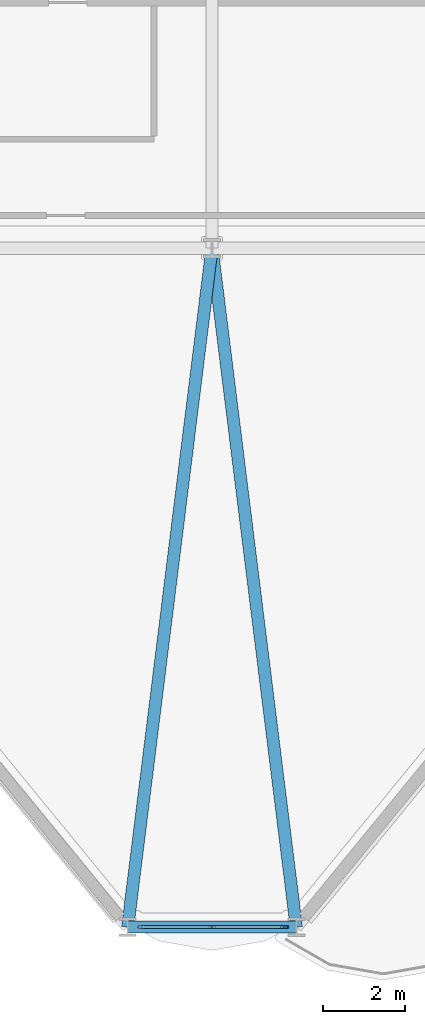
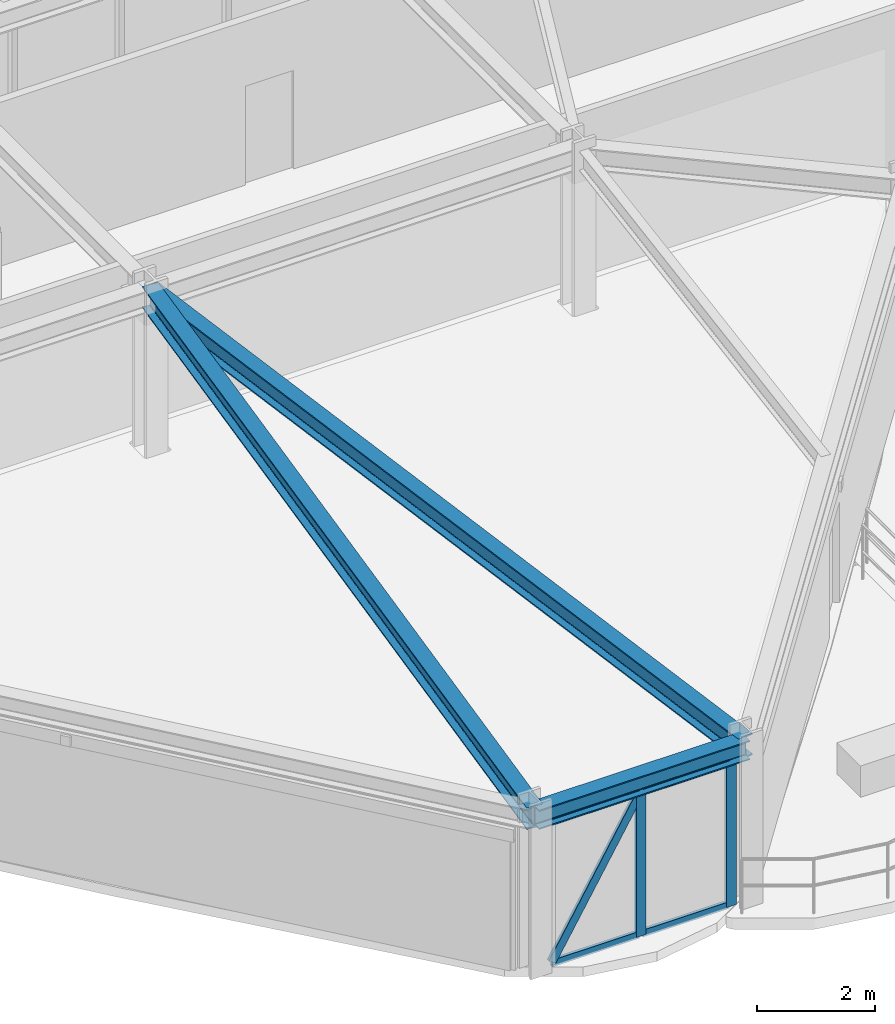
# One storey, part 4 of 23: 7 members, 3 beams, 1 element without a shape of its own.
"""IFC4 building model written with IfcOpenShell, lengths in metres."""

from ifc_helpers import new_model, si_unit, derived_unit, direction, frame, origin, origin_2d, place, context, subcontext, project, spatial, hollow_rectangle, i_section, extrude, source, transform, mapped, material, layer, layer_set, material_profile, profile_set, type_object, element, aggregate, save


model = new_model("IFC4")

# Units and contexts
model_context = context("Model", 3, precision=1e-05, world=origin(), true_north=direction((0.0, 1.0)))
body_context = subcontext(model_context, "Body", "Model", "MODEL_VIEW")
ifc_project = project(units=[si_unit("LENGTHUNIT", "METRE"), si_unit("AREAUNIT", "SQUARE_METRE"), si_unit("VOLUMEUNIT", "CUBIC_METRE"), si_unit("PLANEANGLEUNIT", "RADIAN"), si_unit("MASSUNIT", "GRAM", prefix="KILO"), derived_unit("THERMALTRANSMITTANCEUNIT", [(si_unit("POWERUNIT", "WATT"), 1), (si_unit("LENGTHUNIT", "METRE"), -2), (si_unit("THERMODYNAMICTEMPERATUREUNIT", "KELVIN"), -1)])], contexts=[model_context])

# Site, building, storey
site_placement = place(None, origin())
site = spatial("IfcSite", under=ifc_project, at=site_placement, CompositionType="ELEMENT")
building_placement = place(site_placement, origin())
building = spatial("IfcBuilding", under=site, at=building_placement, Name="Korsvarv Bourse and Concert Hall", CompositionType="ELEMENT")
storey_placement = place(building_placement, frame((0.0, 0.0, 99.0)))
storey = spatial("IfcBuildingStorey", under=building, at=storey_placement, Name="L24", CompositionType="ELEMENT", Elevation=99.0)

# Beams
ifc_material_1 = material(Name="Steel S355", Category="steel")
ifc_material_profile_1 = material_profile(ifc_material_1, i_section(OverallWidth=0.300048828125, OverallDepth=0.39990234375, WebThickness=0.013427734375, FlangeThickness=0.02392578125, FilletRadius=0.02099609375, at=origin_2d()), Name="HEB 400")
ifc_profile_set_1 = profile_set([ifc_material_profile_1], Name="Steel S355")
beam_type_1 = type_object("IfcBeamType", Name="BM-HEB400", PredefinedType="SPANDREL", material=ifc_profile_set_1)
shared_shape_1 = source(origin(), body_context, "Body", "SweptSolid", [
    extrude(i_section(OverallWidth=0.300048828125, OverallDepth=0.39990234375, WebThickness=0.013427734375, FlangeThickness=0.02392578125, FilletRadius=0.02099609375, at=origin_2d()), origin(), (0.0, 0.0, 1.0), 4.13671875),
])
beam_placement = place(storey_placement, frame((33.931640625, 7.34375, 3.199951171875), z_axis=(1.0, 0.0, 0.0), x_axis=(0.0, 1.0, 0.0)))
element("IfcBeam", 1, at=beam_placement, inside=storey, type_object=beam_type_1, Name="L24 beam B-09", PredefinedType="SPANDREL", context=body_context, shape_type="MappedRepresentation", body=[
    mapped(shared_shape_1, transform((0.0, 0.0, 0.0), scale=1.0)),
])
ifc_material_profile_2 = material_profile(ifc_material_1, i_section(OverallWidth=0.300048828125, OverallDepth=0.449951171875, WebThickness=0.013916015625, FlangeThickness=0.02587890625, FilletRadius=0.02099609375, at=origin_2d()), Name="HEB 450")
ifc_profile_set_2 = profile_set([ifc_material_profile_2], Name="Steel S355")
beam_type_2 = type_object("IfcBeamType", Name="BM-HEB450", PredefinedType="SPANDREL", material=ifc_profile_set_2)
shared_shape_2 = source(origin(), body_context, "Body", "SweptSolid", [
    extrude(i_section(OverallWidth=0.300048828125, OverallDepth=0.449951171875, WebThickness=0.013916015625, FlangeThickness=0.02587890625, FilletRadius=0.02099609375, at=origin_2d()), origin(), (0.0, 0.0, 1.0), 16.7841796875),
])
for number, where, z_axis, x_axis, name in (
    (2, (33.931640625, 7.34375, 3.175048828125), (0.123232656878, 0.992377807228, 0.0), (-0.992377807228, 0.123232656878, 0.0), "L24 beam B-08"),
    (3, (38.068359375, 7.34375, 3.175048828125), (-0.123232656878, 0.992377807228, 0.0), (-0.992377807228, -0.123232656878, 0.0), "L24 beam B-08"),
):
    element("IfcBeam", number, at=place(storey_placement, frame(where, z_axis=z_axis, x_axis=x_axis)), inside=storey, type_object=beam_type_2, Name=name, PredefinedType="SPANDREL", context=body_context, shape_type="MappedRepresentation", body=[
        mapped(shared_shape_2, transform((0.0, 0.0, 0.0), scale=1.0)),
    ])

# Curtain wall, members
ifc_material_2 = material(Name="Anodised aluminium and triple low-E glazing", Category="glass")
ifc_layer = layer(ifc_material_2, 0.2099609375)
ifc_layer_set = layer_set([ifc_layer], Name="Anodised aluminium and triple low-E glazing")
curtain_wall_type = type_object("IfcCurtainWallType", Name="CW-SYS-2", PredefinedType="NOTDEFINED", material=ifc_layer_set)
curtain_wall_placement = place(storey_placement, origin())
curtain_wall = element("IfcCurtainWall", 4, at=curtain_wall_placement, inside=storey, type_object=curtain_wall_type, Name="L24 CW2 curtain wall CW-L24-F09", PredefinedType="NOTDEFINED")
ifc_material_3 = material(Name="Extruded aluminium EN AW-6063 T66", Category="aluminium")
ifc_material_profile_3 = material_profile(ifc_material_3, hollow_rectangle(XDim=0.070068359375, YDim=0.18994140625, WallThickness=0.0048828125, at=origin_2d()), Name="ALU-M 70x190")
ifc_profile_set_3 = profile_set([ifc_material_profile_3], Name="Extruded aluminium EN AW-6063 T66")
member_type_1 = type_object("IfcMemberType", Name="CWM-190", PredefinedType="MULLION", material=ifc_profile_set_3)
shared_shape_3 = source(origin(), body_context, "Body", "SweptSolid", [
    extrude(hollow_rectangle(XDim=0.070068359375, YDim=0.18994140625, WallThickness=0.0048828125, at=origin_2d()), origin(), (0.0, 0.0, 1.0), 3.0),
])
member_1_placement = place(storey_placement, frame((36.0, 7.34375, 0.0), z_axis=(0.0, 0.0, 1.0), x_axis=(0.0, 1.0, 0.0)))
member_1 = element("IfcMember", 5, at=member_1_placement, type_object=member_type_1, Name="CW2 mullion 2", PredefinedType="MULLION", context=body_context, shape_type="MappedRepresentation", body=[
    mapped(shared_shape_3, transform((0.0, 0.0, 0.0), scale=1.0)),
])
member_2_placement = place(storey_placement, frame((37.7744140625, 7.34375, 0.0), z_axis=(0.0, 0.0, 1.0), x_axis=(0.0, 1.0, 0.0)))
member_2 = element("IfcMember", 6, at=member_2_placement, type_object=member_type_1, Name="CW2 mullion 3", PredefinedType="MULLION", context=body_context, shape_type="MappedRepresentation", body=[
    mapped(shared_shape_3, transform((0.0, 0.0, 0.0), scale=1.0)),
])
ifc_material_profile_4 = material_profile(ifc_material_3, hollow_rectangle(XDim=0.06494140625, YDim=0.139892578125, WallThickness=0.00390625, at=origin_2d()), Name="ALU-T 65x140")
ifc_profile_set_4 = profile_set([ifc_material_profile_4], Name="Extruded aluminium EN AW-6063 T66")
member_type_2 = type_object("IfcMemberType", Name="CWT-140", PredefinedType="USERDEFINED", material=ifc_profile_set_4)
shared_shape_4 = source(origin(), body_context, "Body", "SweptSolid", [
    extrude(hollow_rectangle(XDim=0.06494140625, YDim=0.139892578125, WallThickness=0.00390625, at=origin_2d()), origin(), (0.0, 0.0, 1.0), 1.70458984375),
])
member_3_placement = place(storey_placement, frame((34.260498046875, 7.34375, 0.032470703125), z_axis=(1.0, 0.0, 0.0), x_axis=(0.0, 1.0, 0.0)))
member_3 = element("IfcMember", 7, at=member_3_placement, type_object=member_type_2, Name="CW2 transom 1.1", ObjectType="TRANSOM", PredefinedType="USERDEFINED", context=body_context, shape_type="MappedRepresentation", body=[
    mapped(shared_shape_4, transform((0.0, 0.0, 0.0), scale=1.0)),
])
member_4_placement = place(storey_placement, frame((34.260498046875, 7.34375, 2.967529296875), z_axis=(1.0, 0.0, 0.0), x_axis=(0.0, 1.0, 0.0)))
member_4 = element("IfcMember", 8, at=member_4_placement, type_object=member_type_2, Name="CW2 transom 1.2", ObjectType="TRANSOM", PredefinedType="USERDEFINED", context=body_context, shape_type="MappedRepresentation", body=[
    mapped(shared_shape_4, transform((0.0, 0.0, 0.0), scale=1.0)),
])
member_5_placement = place(storey_placement, frame((36.034912109375, 7.34375, 0.032470703125), z_axis=(1.0, 0.0, 0.0), x_axis=(0.0, 1.0, 0.0)))
member_5 = element("IfcMember", 9, at=member_5_placement, type_object=member_type_2, Name="CW2 transom 2.1", ObjectType="TRANSOM", PredefinedType="USERDEFINED", context=body_context, shape_type="MappedRepresentation", body=[
    mapped(shared_shape_4, transform((0.0, 0.0, 0.0), scale=1.0)),
])
member_6_placement = place(storey_placement, frame((36.034912109375, 7.34375, 2.967529296875), z_axis=(1.0, 0.0, 0.0), x_axis=(0.0, 1.0, 0.0)))
member_6 = element("IfcMember", 10, at=member_6_placement, type_object=member_type_2, Name="CW2 transom 2.2", ObjectType="TRANSOM", PredefinedType="USERDEFINED", context=body_context, shape_type="MappedRepresentation", body=[
    mapped(shared_shape_4, transform((0.0, 0.0, 0.0), scale=1.0)),
])
ifc_material_profile_5 = material_profile(ifc_material_3, hollow_rectangle(XDim=0.06494140625, YDim=0.1650390625, WallThickness=0.0048828125, at=origin_2d()), Name="ALU-M 65x165")
ifc_profile_set_5 = profile_set([ifc_material_profile_5], Name="Extruded aluminium EN AW-6063 T66")
member_type_3 = type_object("IfcMemberType", Name="CWM-165", PredefinedType="MULLION", material=ifc_profile_set_5)
shared_shape_5 = source(origin(), body_context, "Body", "SweptSolid", [
    extrude(hollow_rectangle(XDim=0.06494140625, YDim=0.1650390625, WallThickness=0.0048828125, at=origin_2d()), origin(), (0.0, 0.0, 1.0), 3.338134765625),
])
member_7_placement = place(storey_placement, frame((34.260498046875, 7.34375, 0.06494140625), z_axis=(0.510640138607, 0.0, 0.859794538738), x_axis=(0.0, 1.0, 0.0)))
member_7 = element("IfcMember", 11, at=member_7_placement, type_object=member_type_3, Name="CW2 diagonal mullion 1", PredefinedType="MULLION", context=body_context, shape_type="MappedRepresentation", body=[
    mapped(shared_shape_5, transform((0.0, 0.0, 0.0), scale=1.0)),
])
aggregate(curtain_wall, [member_1, member_2, member_3, member_4, member_7, member_5, member_6])

save(model, "model.ifc")
